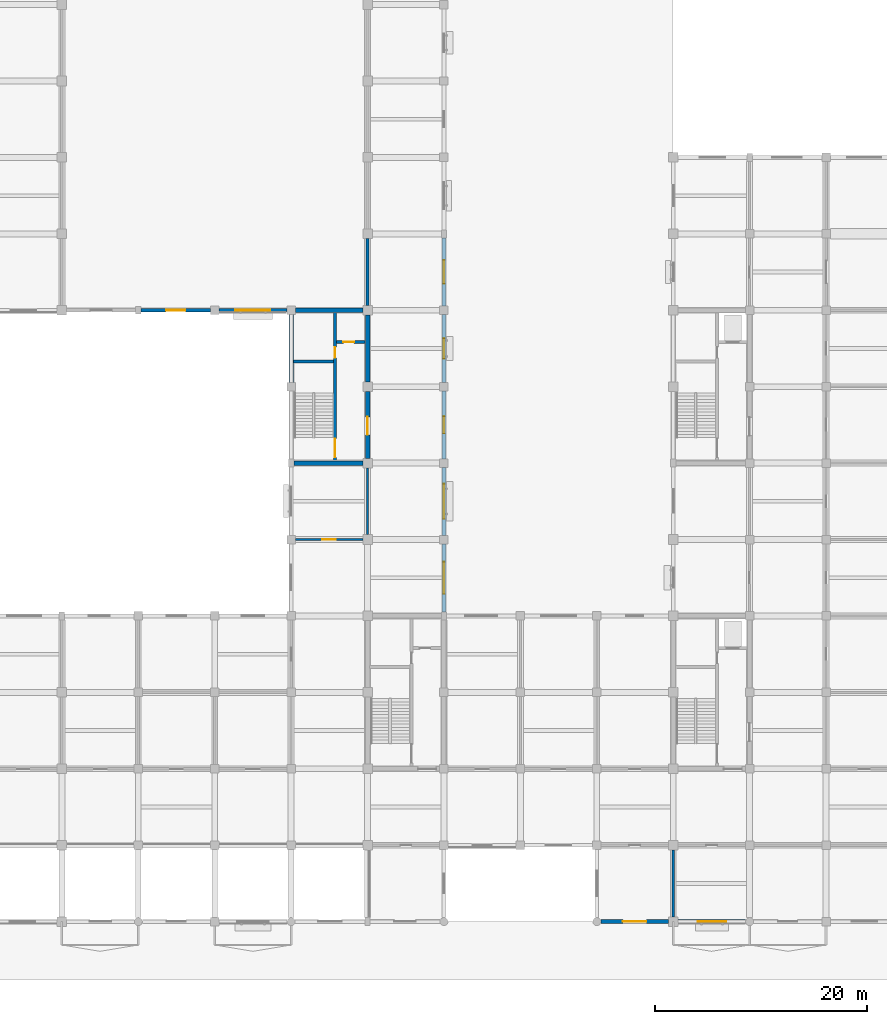
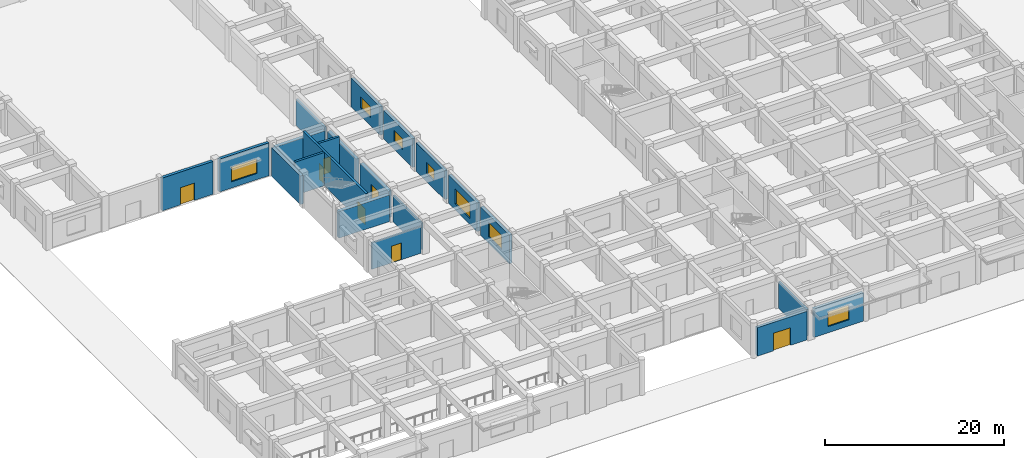
# One storey, part 10 of 37: 21 walls, 7 doors, 7 windows, 14 openings.
"""IFC4 building model written with IfcOpenShell, lengths in metres."""

from ifc_helpers import new_model, si_unit, direction, frame, frame_2d, origin, place, context, subcontext, project, spatial, rectangle, extrude, material, layer, layer_set, type_object, element, fill, save


model = new_model("IFC4")

# Units and contexts
model_context = context("Model", 3, precision=1e-05, world=origin(), true_north=direction((0.0, 1.0)))
body_context = subcontext(model_context, "Body", "Model", "MODEL_VIEW")
ifc_project = project(units=[si_unit("LENGTHUNIT", "METRE"), si_unit("AREAUNIT", "SQUARE_METRE"), si_unit("VOLUMEUNIT", "CUBIC_METRE"), si_unit("PLANEANGLEUNIT", "RADIAN"), si_unit("MASSUNIT", "GRAM", prefix="KILO")], contexts=[model_context])

# Site, building, storey
site_placement = place(None, origin())
site = spatial("IfcSite", under=ifc_project, at=site_placement, CompositionType="ELEMENT")
building_placement = place(site_placement, origin())
building = spatial("IfcBuilding", under=site, at=building_placement, Name="Cendaluz Park School", CompositionType="ELEMENT")
storey_placement = place(building_placement, origin())
storey = spatial("IfcBuildingStorey", under=building, at=storey_placement, Name="L00", CompositionType="ELEMENT", Elevation=0.0)

# Wall, opening, door
ifc_material_1 = material(Name="Gypsum Plasterboard on Cold-Formed Stud", Category="gypsum")
ifc_layer_1 = layer(ifc_material_1, 0.199951171875)
ifc_layer_set_1 = layer_set([ifc_layer_1], Name="Gypsum Plasterboard on Cold-Formed Stud")
wall_type_1 = type_object("IfcWallType", Name="W-AC20", PredefinedType="PARTITIONING", material=ifc_layer_set_1)
wall_1_placement = place(storey_placement, frame((29.199951171875, 36.0, 0.0), z_axis=(0.0, 0.0, 1.0), x_axis=(1.0, 0.0, 0.0)))
wall_1 = element("IfcWall", 1, at=wall_1_placement, inside=storey, type_object=wall_type_1, Name="WL-FA-CJ1", PredefinedType="PARTITIONING", context=body_context, shape_type="SweptSolid", body=[
    extrude(rectangle(XDim=6.35009765625, YDim=0.199951171875, at=frame_2d((3.175048828125, 0.0))), origin(), (0.0, 0.0, 1.0), 3.6201171875),
])
opening_1_placement = place(wall_1_placement, frame((2.534912109375, 0.0, 0.0)))
opening_1 = element("IfcOpeningElement", 2, at=opening_1_placement, cuts=wall_1, Name="Opening DCL-10", PredefinedType="OPENING", context=body_context, shape_type="SweptSolid", body=[
    extrude(rectangle(XDim=1.280029296875, YDim=2.280029296875, at=frame_2d((0.64013671875, 1.14013671875))), frame((0.0, 0.112060546875, 0.0), z_axis=(0.0, -1.0, 0.0), x_axis=(1.0, 0.0, 0.0)), (0.0, 0.0, 1.0), 0.223876953125),
])
ifc_material_2 = material(Name="Solid Core Hardwood", Category="wood")
door_type_1 = type_object("IfcDoorType", Name="DCL-10", OperationType="NOTDEFINED", PredefinedType="DOOR", material=ifc_material_2)
door_1_placement = place(opening_1_placement, origin())
door_1 = element("IfcDoor", 3, at=door_1_placement, inside=storey, type_object=door_type_1, Name="D-L00-092", OperationType="SINGLE_SWING_RIGHT", OverallHeight=2.280029296875, OverallWidth=1.280029296875, PredefinedType="DOOR", context=body_context, shape_type="SweptSolid", body=[
    extrude(rectangle(XDim=1.280029296875, YDim=2.280029296875, at=frame_2d((0.64013671875, 1.14013671875))), frame((0.0, 0.02490234375, 0.0), z_axis=(0.0, -1.0, 0.0), x_axis=(1.0, 0.0, 0.0)), (0.0, 0.0, 1.0), 0.050048828125),
])
fill(opening_1, door_1)

# Walls
wall_2_placement = place(storey_placement, frame((36.0, 36.449951171875, 0.0), z_axis=(0.0, 0.0, 1.0), x_axis=(0.0, 1.0, 0.0)))
element("IfcWall", 4, at=wall_2_placement, inside=storey, type_object=wall_type_1, Name="WL-FA-CJ2", PredefinedType="PARTITIONING", context=body_context, shape_type="SweptSolid", body=[
    extrude(rectangle(XDim=6.300048828125, YDim=0.199951171875, at=frame_2d((3.14990234375, 0.0))), origin(), (0.0, 0.0, 1.0), 3.6201171875),
])
ifc_layer_2 = layer(ifc_material_1, 0.25)
ifc_layer_set_2 = layer_set([ifc_layer_2], Name="Gypsum Plasterboard on Cold-Formed Stud")
wall_type_2 = type_object("IfcWallType", Name="W-CP25", PredefinedType="PARTITIONING", material=ifc_layer_set_2)
for number, where, z_axis, x_axis, name in (
    (5, (36.0, 58.050048828125, 0.0), (0.0, 0.0, 1.0), (0.0, 1.0, 0.0), "WL-FA-BY9"),
    (6, (64.800048828125, 0.449951171875, 0.0), (0.0, 0.0, 1.0), (0.0, 1.0, 0.0), "WL-FA-CD3"),
):
    element("IfcWall", number, at=place(storey_placement, frame(where, z_axis=z_axis, x_axis=x_axis)), inside=storey, type_object=wall_type_2, Name=name, PredefinedType="PARTITIONING", context=body_context, shape_type="SweptSolid", body=[
        extrude(rectangle(XDim=6.300048828125, YDim=0.25, at=frame_2d((3.14990234375, 0.0))), origin(), (0.0, 0.0, 1.0), 3.6201171875),
    ])

# Wall, opening, door
ifc_material_3 = material(Name="Concrete C40/50 precast", Category="concrete")
ifc_layer_3 = layer(ifc_material_3, 0.360107421875)
ifc_layer_set_3 = layer_set([ifc_layer_3], Name="Concrete C40/50 precast")
wall_type_3 = type_object("IfcWallType", Name="W-EX36", PredefinedType="SOLIDWALL", material=ifc_layer_set_3)
wall_3_placement = place(storey_placement, frame((14.64990234375, 57.60009765625, 0.0), z_axis=(0.0, 0.0, 1.0), x_axis=(1.0, 0.0, 0.0)))
wall_3 = element("IfcWall", 7, at=wall_3_placement, inside=storey, type_object=wall_type_3, Name="WL-FA-AC2", PredefinedType="SOLIDWALL", context=body_context, shape_type="SweptSolid", body=[
    extrude(rectangle(XDim=6.550048828125, YDim=0.360107421875, at=frame_2d((3.27490234375, 0.0))), origin(), (0.0, 0.0, 1.0), 4.469970703125),
])
opening_2_placement = place(wall_3_placement, frame((2.375, 0.0, 0.0)))
opening_2 = element("IfcOpeningElement", 8, at=opening_2_placement, cuts=wall_3, Name="Opening DEX-03", PredefinedType="OPENING", context=body_context, shape_type="SweptSolid", body=[
    extrude(rectangle(XDim=1.800048828125, YDim=2.35009765625, at=frame_2d((0.89990234375, 1.175048828125))), frame((0.0, 0.192138671875, 0.0), z_axis=(0.0, -1.0, 0.0), x_axis=(1.0, 0.0, 0.0)), (0.0, 0.0, 1.0), 0.384033203125),
])
ifc_material_4 = material(Name="Architectural Bronze")
door_type_2 = type_object("IfcDoorType", Name="DEX-03", OperationType="DOUBLE_DOOR_SINGLE_SWING", PredefinedType="DOOR", material=ifc_material_4)
door_2_placement = place(opening_2_placement, frame((1.800048828125, 0.0, 0.0), z_axis=(0.0, 0.0, 1.0), x_axis=(-1.0, 0.0, 0.0)))
door_2 = element("IfcDoor", 9, at=door_2_placement, inside=storey, type_object=door_type_2, Name="D-L00-007", OperationType="DOUBLE_DOOR_SINGLE_SWING", OverallHeight=2.35009765625, OverallWidth=1.800048828125, PredefinedType="DOOR", context=body_context, shape_type="SweptSolid", body=[
    extrude(rectangle(XDim=1.800048828125, YDim=2.35009765625, at=frame_2d((0.89990234375, 1.175048828125))), frame((0.0, 0.02490234375, 0.0), z_axis=(0.0, -1.0, 0.0), x_axis=(1.0, 0.0, 0.0)), (0.0, 0.0, 1.0), 0.050048828125),
])
fill(opening_2, door_2)

# Wall, opening, window
wall_4_placement = place(storey_placement, frame((22.0, 57.60009765625, 0.0), z_axis=(0.0, 0.0, 1.0), x_axis=(1.0, 0.0, 0.0)))
wall_4 = element("IfcWall", 10, at=wall_4_placement, inside=storey, type_object=wall_type_3, Name="WL-FA-AC6", PredefinedType="SOLIDWALL", context=body_context, shape_type="SweptSolid", body=[
    extrude(rectangle(XDim=6.39990234375, YDim=0.360107421875, at=frame_2d((3.199951171875, 0.0))), origin(), (0.0, 0.0, 1.0), 4.469970703125),
])
opening_3_placement = place(wall_4_placement, frame((1.550048828125, 0.0, 0.85009765625)))
opening_3 = element("IfcOpeningElement", 11, at=opening_3_placement, cuts=wall_4, Name="Opening WN-15", PredefinedType="OPENING", context=body_context, shape_type="SweptSolid", body=[
    extrude(rectangle(XDim=3.300048828125, YDim=2.0, at=frame_2d((1.64990234375, 1.0))), frame((0.0, 0.192138671875, 0.0), z_axis=(0.0, -1.0, 0.0), x_axis=(1.0, 0.0, 0.0)), (0.0, 0.0, 1.0), 0.384033203125),
])
ifc_material_5 = material(Name="Tempered Low-E Double Glazing", Category="glass")
window_type_1 = type_object("IfcWindowType", Name="WN-15", PartitioningType="SINGLE_PANEL", PredefinedType="WINDOW", material=ifc_material_5)
window_1_placement = place(opening_3_placement, origin())
window_1 = element("IfcWindow", 12, at=window_1_placement, inside=storey, type_object=window_type_1, Name="WN-L00-020", OverallHeight=2.0, OverallWidth=3.300048828125, PartitioningType="SINGLE_PANEL", PredefinedType="WINDOW", context=body_context, shape_type="SweptSolid", body=[
    extrude(rectangle(XDim=3.300048828125, YDim=2.0, at=frame_2d((1.64990234375, 1.0))), frame((0.0, 0.030029296875, 0.0), z_axis=(0.0, -1.0, 0.0), x_axis=(1.0, 0.0, 0.0)), (0.0, 0.0, 1.0), 0.06005859375),
])
fill(opening_3, window_1)

wall_5_placement = place(storey_placement, frame((43.199951171875, 29.175048828125, 0.0), z_axis=(0.0, 0.0, 1.0), x_axis=(0.0, 1.0, 0.0)))
wall_5 = element("IfcWall", 13, at=wall_5_placement, inside=storey, type_object=wall_type_3, Name="WL-FA-AD4", PredefinedType="SOLIDWALL", context=body_context, shape_type="SweptSolid", body=[
    extrude(rectangle(XDim=6.425048828125, YDim=0.360107421875, at=frame_2d((3.21240234375, 0.0))), origin(), (0.0, 0.0, 1.0), 3.889892578125),
])
opening_4_placement = place(wall_5_placement, frame((1.71240234375, 0.0, 0.85009765625)))
opening_4 = element("IfcOpeningElement", 14, at=opening_4_placement, cuts=wall_5, Name="Opening WN-14", PredefinedType="OPENING", context=body_context, shape_type="SweptSolid", body=[
    extrude(rectangle(XDim=3.0, YDim=2.0, at=frame_2d((1.5, 1.0))), frame((0.0, 0.192138671875, 0.0), z_axis=(0.0, -1.0, 0.0), x_axis=(1.0, 0.0, 0.0)), (0.0, 0.0, 1.0), 0.384033203125),
])
window_type_2 = type_object("IfcWindowType", Name="WN-14", PartitioningType="SINGLE_PANEL", PredefinedType="WINDOW", material=ifc_material_5)
window_2_placement = place(opening_4_placement, origin())
window_2 = element("IfcWindow", 15, at=window_2_placement, inside=storey, type_object=window_type_2, Name="WN-L00-025", OverallHeight=2.0, OverallWidth=3.0, PartitioningType="SINGLE_PANEL", PredefinedType="WINDOW", context=body_context, shape_type="SweptSolid", body=[
    extrude(rectangle(XDim=3.0, YDim=2.0, at=frame_2d((1.5, 1.0))), frame((0.0, 0.030029296875, 0.0), z_axis=(0.0, -1.0, 0.0), x_axis=(1.0, 0.0, 0.0)), (0.0, 0.0, 1.0), 0.06005859375),
])
fill(opening_4, window_2)

wall_6_placement = place(storey_placement, frame((43.199951171875, 36.39990234375, 0.0), z_axis=(0.0, 0.0, 1.0), x_axis=(0.0, 1.0, 0.0)))
wall_6 = element("IfcWall", 16, at=wall_6_placement, inside=storey, type_object=wall_type_3, Name="WL-FA-AD5", PredefinedType="SOLIDWALL", context=body_context, shape_type="SweptSolid", body=[
    extrude(rectangle(XDim=6.400146484375, YDim=0.360107421875, at=frame_2d((3.2001953125, 0.0))), origin(), (0.0, 0.0, 1.0), 3.889892578125),
])
opening_5_placement = place(wall_6_placement, frame((1.550048828125, 0.0, 0.85009765625)))
opening_5 = element("IfcOpeningElement", 17, at=opening_5_placement, cuts=wall_6, Name="Opening WN-15", PredefinedType="OPENING", context=body_context, shape_type="SweptSolid", body=[
    extrude(rectangle(XDim=3.300048828125, YDim=2.0, at=frame_2d((1.64990234375, 1.0))), frame((0.0, 0.192138671875, 0.0), z_axis=(0.0, -1.0, 0.0), x_axis=(1.0, 0.0, 0.0)), (0.0, 0.0, 1.0), 0.384033203125),
])
window_3_placement = place(opening_5_placement, origin())
window_3 = element("IfcWindow", 18, at=window_3_placement, inside=storey, type_object=window_type_1, Name="WN-L00-026", OverallHeight=2.0, OverallWidth=3.300048828125, PartitioningType="SINGLE_PANEL", PredefinedType="WINDOW", context=body_context, shape_type="SweptSolid", body=[
    extrude(rectangle(XDim=3.300048828125, YDim=2.0, at=frame_2d((1.64990234375, 1.0))), frame((0.0, 0.030029296875, 0.0), z_axis=(0.0, -1.0, 0.0), x_axis=(1.0, 0.0, 0.0)), (0.0, 0.0, 1.0), 0.06005859375),
])
fill(opening_5, window_3)

wall_7_placement = place(storey_placement, frame((43.199951171875, 43.60009765625, 0.0), z_axis=(0.0, 0.0, 1.0), x_axis=(0.0, 1.0, 0.0)))
wall_7 = element("IfcWall", 19, at=wall_7_placement, inside=storey, type_object=wall_type_3, Name="WL-FA-AD6", PredefinedType="SOLIDWALL", context=body_context, shape_type="SweptSolid", body=[
    extrude(rectangle(XDim=6.39990234375, YDim=0.360107421875, at=frame_2d((3.199951171875, 0.0))), origin(), (0.0, 0.0, 1.0), 3.889892578125),
])
opening_6_placement = place(wall_7_placement, frame((2.39990234375, 0.0, 1.10009765625)))
opening_6 = element("IfcOpeningElement", 20, at=opening_6_placement, cuts=wall_7, Name="Opening WN-16", PredefinedType="OPENING", context=body_context, shape_type="SweptSolid", body=[
    extrude(rectangle(XDim=1.60009765625, YDim=1.5, at=frame_2d((0.800048828125, 0.75))), frame((0.0, 0.192138671875, 0.0), z_axis=(0.0, -1.0, 0.0), x_axis=(1.0, 0.0, 0.0)), (0.0, 0.0, 1.0), 0.384033203125),
])
window_type_3 = type_object("IfcWindowType", Name="WN-16", PartitioningType="SINGLE_PANEL", PredefinedType="WINDOW", material=ifc_material_5)
window_4_placement = place(opening_6_placement, origin())
window_4 = element("IfcWindow", 21, at=window_4_placement, inside=storey, type_object=window_type_3, Name="WN-L00-027", OverallHeight=1.5, OverallWidth=1.60009765625, PartitioningType="SINGLE_PANEL", PredefinedType="WINDOW", context=body_context, shape_type="SweptSolid", body=[
    extrude(rectangle(XDim=1.60009765625, YDim=1.5, at=frame_2d((0.800048828125, 0.75))), frame((0.0, 0.030029296875, 0.0), z_axis=(0.0, -1.0, 0.0), x_axis=(1.0, 0.0, 0.0)), (0.0, 0.0, 1.0), 0.06005859375),
])
fill(opening_6, window_4)

wall_8_placement = place(storey_placement, frame((43.199951171875, 50.800048828125, 0.0), z_axis=(0.0, 0.0, 1.0), x_axis=(0.0, 1.0, 0.0)))
wall_8 = element("IfcWall", 22, at=wall_8_placement, inside=storey, type_object=wall_type_3, Name="WL-FA-AD7", PredefinedType="SOLIDWALL", context=body_context, shape_type="SweptSolid", body=[
    extrude(rectangle(XDim=6.39990234375, YDim=0.360107421875, at=frame_2d((3.199951171875, 0.0))), origin(), (0.0, 0.0, 1.0), 3.889892578125),
])
opening_7_placement = place(wall_8_placement, frame((2.25, 0.0, 1.10009765625)))
opening_7 = element("IfcOpeningElement", 23, at=opening_7_placement, cuts=wall_8, Name="Opening WN-17", PredefinedType="OPENING", context=body_context, shape_type="SweptSolid", body=[
    extrude(rectangle(XDim=1.89990234375, YDim=1.5, at=frame_2d((0.949951171875, 0.75))), frame((0.0, 0.192138671875, 0.0), z_axis=(0.0, -1.0, 0.0), x_axis=(1.0, 0.0, 0.0)), (0.0, 0.0, 1.0), 0.384033203125),
])
window_type_4 = type_object("IfcWindowType", Name="WN-17", PartitioningType="SINGLE_PANEL", PredefinedType="WINDOW", material=ifc_material_5)
window_5_placement = place(opening_7_placement, origin())
window_5 = element("IfcWindow", 24, at=window_5_placement, inside=storey, type_object=window_type_4, Name="WN-L00-028", OverallHeight=1.5, OverallWidth=1.89990234375, PartitioningType="SINGLE_PANEL", PredefinedType="WINDOW", context=body_context, shape_type="SweptSolid", body=[
    extrude(rectangle(XDim=1.89990234375, YDim=1.5, at=frame_2d((0.949951171875, 0.75))), frame((0.0, 0.030029296875, 0.0), z_axis=(0.0, -1.0, 0.0), x_axis=(1.0, 0.0, 0.0)), (0.0, 0.0, 1.0), 0.06005859375),
])
fill(opening_7, window_5)

wall_9_placement = place(storey_placement, frame((43.199951171875, 58.0, 0.0), z_axis=(0.0, 0.0, 1.0), x_axis=(0.0, 1.0, 0.0)))
wall_9 = element("IfcWall", 25, at=wall_9_placement, inside=storey, type_object=wall_type_3, Name="WL-FA-AD8", PredefinedType="SOLIDWALL", context=body_context, shape_type="SweptSolid", body=[
    extrude(rectangle(XDim=6.425048828125, YDim=0.360107421875, at=frame_2d((3.21240234375, 0.0))), origin(), (0.0, 0.0, 1.0), 3.889892578125),
])
opening_8_placement = place(wall_9_placement, frame((2.112548828125, 0.0, 1.10009765625)))
opening_8 = element("IfcOpeningElement", 26, at=opening_8_placement, cuts=wall_9, Name="Opening WN-18", PredefinedType="OPENING", context=body_context, shape_type="SweptSolid", body=[
    extrude(rectangle(XDim=2.199951171875, YDim=1.5, at=frame_2d((1.10009765625, 0.75))), frame((0.0, 0.192138671875, 0.0), z_axis=(0.0, -1.0, 0.0), x_axis=(1.0, 0.0, 0.0)), (0.0, 0.0, 1.0), 0.384033203125),
])
window_type_5 = type_object("IfcWindowType", Name="WN-18", PartitioningType="SINGLE_PANEL", PredefinedType="WINDOW", material=ifc_material_5)
window_6_placement = place(opening_8_placement, origin())
window_6 = element("IfcWindow", 27, at=window_6_placement, inside=storey, type_object=window_type_5, Name="WN-L00-029", OverallHeight=1.5, OverallWidth=2.199951171875, PartitioningType="SINGLE_PANEL", PredefinedType="WINDOW", context=body_context, shape_type="SweptSolid", body=[
    extrude(rectangle(XDim=2.199951171875, YDim=1.5, at=frame_2d((1.10009765625, 0.75))), frame((0.0, 0.030029296875, 0.0), z_axis=(0.0, -1.0, 0.0), x_axis=(1.0, 0.0, 0.0)), (0.0, 0.0, 1.0), 0.06005859375),
])
fill(opening_8, window_6)

# Wall, opening, door
wall_10_placement = place(storey_placement, frame((57.97509765625, 0.0, 0.0), z_axis=(0.0, 0.0, 1.0), x_axis=(1.0, 0.0, 0.0)))
wall_10 = element("IfcWall", 28, at=wall_10_placement, inside=storey, type_object=wall_type_3, Name="WL-FA-AF1", PredefinedType="SOLIDWALL", context=body_context, shape_type="SweptSolid", body=[
    extrude(rectangle(XDim=6.375, YDim=0.360107421875, at=frame_2d((3.1875, 0.0))), origin(), (0.0, 0.0, 1.0), 3.889892578125),
])
opening_9_placement = place(wall_10_placement, frame((2.08740234375, 0.0, 0.0)))
opening_9 = element("IfcOpeningElement", 29, at=opening_9_placement, cuts=wall_10, Name="Opening DEX-01", PredefinedType="OPENING", context=body_context, shape_type="SweptSolid", body=[
    extrude(rectangle(XDim=2.199951171875, YDim=2.39990234375, at=frame_2d((1.10009765625, 1.199951171875))), frame((0.0, 0.192138671875, 0.0), z_axis=(0.0, -1.0, 0.0), x_axis=(1.0, 0.0, 0.0)), (0.0, 0.0, 1.0), 0.384033203125),
])
door_type_3 = type_object("IfcDoorType", Name="DEX-01", OperationType="DOUBLE_DOOR_SINGLE_SWING", PredefinedType="DOOR", material=ifc_material_4)
door_3_placement = place(opening_9_placement, frame((2.199951171875, 0.0, 0.0), z_axis=(0.0, 0.0, 1.0), x_axis=(-1.0, 0.0, 0.0)))
door_3 = element("IfcDoor", 30, at=door_3_placement, inside=storey, type_object=door_type_3, Name="D-L00-013", OperationType="DOUBLE_DOOR_SINGLE_SWING", OverallHeight=2.39990234375, OverallWidth=2.199951171875, PredefinedType="DOOR", context=body_context, shape_type="SweptSolid", body=[
    extrude(rectangle(XDim=2.199951171875, YDim=2.39990234375, at=frame_2d((1.10009765625, 1.199951171875))), frame((0.0, 0.02490234375, 0.0), z_axis=(0.0, -1.0, 0.0), x_axis=(1.0, 0.0, 0.0)), (0.0, 0.0, 1.0), 0.050048828125),
])
fill(opening_9, door_3)

# Wall, opening, window
wall_11_placement = place(storey_placement, frame((65.25, 0.0, 0.0), z_axis=(0.0, 0.0, 1.0), x_axis=(1.0, 0.0, 0.0)))
wall_11 = element("IfcWall", 31, at=wall_11_placement, inside=storey, type_object=wall_type_3, Name="WL-FA-AF4", PredefinedType="SOLIDWALL", context=body_context, shape_type="SweptSolid", body=[
    extrude(rectangle(XDim=6.375, YDim=0.360107421875, at=frame_2d((3.1875, 0.0))), origin(), (0.0, 0.0, 1.0), 3.889892578125),
])
opening_10_placement = place(wall_11_placement, frame((1.83740234375, 0.0, 0.85009765625)))
opening_10 = element("IfcOpeningElement", 32, at=opening_10_placement, cuts=wall_11, Name="Opening WN-13", PredefinedType="OPENING", context=body_context, shape_type="SweptSolid", body=[
    extrude(rectangle(XDim=2.699951171875, YDim=2.0, at=frame_2d((1.35009765625, 1.0))), frame((0.0, 0.192138671875, 0.0), z_axis=(0.0, -1.0, 0.0), x_axis=(1.0, 0.0, 0.0)), (0.0, 0.0, 1.0), 0.384033203125),
])
window_type_6 = type_object("IfcWindowType", Name="WN-13", PartitioningType="SINGLE_PANEL", PredefinedType="WINDOW", material=ifc_material_5)
window_7_placement = place(opening_10_placement, origin())
window_7 = element("IfcWindow", 33, at=window_7_placement, inside=storey, type_object=window_type_6, Name="WN-L00-042", OverallHeight=2.0, OverallWidth=2.699951171875, PartitioningType="SINGLE_PANEL", PredefinedType="WINDOW", context=body_context, shape_type="SweptSolid", body=[
    extrude(rectangle(XDim=2.699951171875, YDim=2.0, at=frame_2d((1.35009765625, 1.0))), frame((0.0, 0.030029296875, 0.0), z_axis=(0.0, -1.0, 0.0), x_axis=(1.0, 0.0, 0.0)), (0.0, 0.0, 1.0), 0.06005859375),
])
fill(opening_10, window_7)

# Wall, openings, doors
ifc_material_6 = material(Name="Concrete C40/50", Category="concrete")
ifc_layer_4 = layer(ifc_material_6, 0.280029296875)
ifc_layer_set_4 = layer_set([ifc_layer_4], Name="Concrete C40/50")
wall_type_4 = type_object("IfcWallType", Name="W-FW28", PredefinedType="SHEAR", material=ifc_layer_set_4)
wall_12_placement = place(storey_placement, frame((32.919921875, 43.39990234375, 0.0), z_axis=(0.0, 0.0, 1.0), x_axis=(0.0, 1.0, 0.0)))
wall_12 = element("IfcWall", 34, at=wall_12_placement, inside=storey, type_object=wall_type_4, Name="WL-FA-BW8", PredefinedType="SHEAR", context=body_context, shape_type="SweptSolid", body=[
    extrude(rectangle(XDim=14.0, YDim=0.280029296875, at=frame_2d((7.0, 0.0))), origin(), (0.0, 0.0, 1.0), 4.52001953125),
])
opening_11_placement = place(wall_12_placement, frame((0.35009765625, 0.0, 0.0)))
opening_11 = element("IfcOpeningElement", 35, at=opening_11_placement, cuts=wall_12, Name="Opening DST-03", PredefinedType="OPENING", context=body_context, shape_type="SweptSolid", body=[
    extrude(rectangle(XDim=1.75, YDim=2.14990234375, at=frame_2d((0.875, 1.074951171875))), frame((0.0, 0.152099609375, 0.0), z_axis=(0.0, -1.0, 0.0), x_axis=(1.0, 0.0, 0.0)), (0.0, 0.0, 1.0), 0.303955078125),
])
opening_12_placement = place(wall_12_placement, frame((9.719970703125, 0.0, 0.0)))
opening_12 = element("IfcOpeningElement", 36, at=opening_12_placement, cuts=wall_12, Name="Opening DFC-01", PredefinedType="OPENING", context=body_context, shape_type="SweptSolid", body=[
    extrude(rectangle(XDim=1.0, YDim=2.14990234375, at=frame_2d((0.5, 1.074951171875))), frame((0.0, 0.152099609375, 0.0), z_axis=(0.0, -1.0, 0.0), x_axis=(1.0, 0.0, 0.0)), (0.0, 0.0, 1.0), 0.303955078125),
])
door_type_4 = type_object("IfcDoorType", Name="DFC-01", OperationType="NOTDEFINED", PredefinedType="DOOR", material=ifc_material_2)
door_4_placement = place(opening_12_placement, origin())
door_4 = element("IfcDoor", 37, at=door_4_placement, inside=storey, type_object=door_type_4, Name="D-L00-058", OperationType="SINGLE_SWING_LEFT", OverallHeight=2.14990234375, OverallWidth=1.0, PredefinedType="DOOR", context=body_context, shape_type="SweptSolid", body=[
    extrude(rectangle(XDim=1.0, YDim=2.14990234375, at=frame_2d((0.5, 1.074951171875))), frame((0.0, 0.02490234375, 0.0), z_axis=(0.0, -1.0, 0.0), x_axis=(1.0, 0.0, 0.0)), (0.0, 0.0, 1.0), 0.050048828125),
])
fill(opening_12, door_4)
door_type_5 = type_object("IfcDoorType", Name="DST-03", OperationType="DOUBLE_DOOR_SINGLE_SWING", PredefinedType="DOOR", material=ifc_material_2)
door_5_placement = place(opening_11_placement, frame((1.75, 0.0, 0.0), z_axis=(0.0, 0.0, 1.0), x_axis=(-1.0, 0.0, 0.0)))
door_5 = element("IfcDoor", 38, at=door_5_placement, inside=storey, type_object=door_type_5, Name="D-L00-057", OperationType="DOUBLE_DOOR_SINGLE_SWING", OverallHeight=2.14990234375, OverallWidth=1.75, PredefinedType="DOOR", context=body_context, shape_type="SweptSolid", body=[
    extrude(rectangle(XDim=1.75, YDim=2.14990234375, at=frame_2d((0.875, 1.074951171875))), frame((0.0, 0.02490234375, 0.0), z_axis=(0.0, -1.0, 0.0), x_axis=(1.0, 0.0, 0.0)), (0.0, 0.0, 1.0), 0.050048828125),
])
fill(opening_11, door_5)

# Wall
wall_13_placement = place(storey_placement, frame((29.0, 52.780029296875, 0.0), z_axis=(0.0, 0.0, 1.0), x_axis=(1.0, 0.0, 0.0)))
element("IfcWall", 39, at=wall_13_placement, inside=storey, type_object=wall_type_4, Name="WL-FA-BW9", PredefinedType="SHEAR", context=body_context, shape_type="SweptSolid", body=[
    extrude(rectangle(XDim=3.780029296875, YDim=0.280029296875, at=frame_2d((1.89013671875, 0.0))), origin(), (0.0, 0.0, 1.0), 4.52001953125),
])

# Wall, opening, door
wall_14_placement = place(storey_placement, frame((33.080078125, 54.60009765625, 0.0), z_axis=(0.0, 0.0, 1.0), x_axis=(1.0, 0.0, 0.0)))
wall_14 = element("IfcWall", 40, at=wall_14_placement, inside=storey, type_object=wall_type_4, Name="WL-FA-BX0", PredefinedType="SHEAR", context=body_context, shape_type="SweptSolid", body=[
    extrude(rectangle(XDim=2.679931640625, YDim=0.280029296875, at=frame_2d((1.33984375, 0.0))), origin(), (0.0, 0.0, 1.0), 4.52001953125),
])
opening_13_placement = place(wall_14_placement, frame((0.64990234375, 0.0, 0.0)))
opening_13 = element("IfcOpeningElement", 41, at=opening_13_placement, cuts=wall_14, Name="Opening DFC-01", PredefinedType="OPENING", context=body_context, shape_type="SweptSolid", body=[
    extrude(rectangle(XDim=1.0, YDim=2.14990234375, at=frame_2d((0.5, 1.074951171875))), frame((0.0, 0.152099609375, 0.0), z_axis=(0.0, -1.0, 0.0), x_axis=(1.0, 0.0, 0.0)), (0.0, 0.0, 1.0), 0.303955078125),
])
door_6_placement = place(opening_13_placement, frame((1.0, 0.0, 0.0), z_axis=(0.0, 0.0, 1.0), x_axis=(-1.0, 0.0, 0.0)))
door_6 = element("IfcDoor", 42, at=door_6_placement, inside=storey, type_object=door_type_4, Name="D-L00-059", OperationType="SINGLE_SWING_RIGHT", OverallHeight=2.14990234375, OverallWidth=1.0, PredefinedType="DOOR", context=body_context, shape_type="SweptSolid", body=[
    extrude(rectangle(XDim=1.0, YDim=2.14990234375, at=frame_2d((0.5, 1.074951171875))), frame((0.0, 0.02490234375, 0.0), z_axis=(0.0, -1.0, 0.0), x_axis=(1.0, 0.0, 0.0)), (0.0, 0.0, 1.0), 0.050048828125),
])
fill(opening_13, door_6)

# Wall
ifc_layer_5 = layer(ifc_material_6, 0.419921875)
ifc_layer_set_5 = layer_set([ifc_layer_5], Name="Concrete C40/50")
wall_type_5 = type_object("IfcWallType", Name="W-SH42", PredefinedType="SHEAR", material=ifc_layer_set_5)
wall_15_placement = place(storey_placement, frame((28.800048828125, 50.800048828125, 0.0), z_axis=(0.0, 0.0, 1.0), x_axis=(0.0, 1.0, 0.0)))
element("IfcWall", 43, at=wall_15_placement, inside=storey, type_object=wall_type_5, Name="WL-FA-BW3", PredefinedType="SHEAR", context=body_context, shape_type="SweptSolid", body=[
    extrude(rectangle(XDim=6.39990234375, YDim=0.419921875, at=frame_2d((3.199951171875, 0.0))), origin(), (0.0, 0.0, 1.0), 3.889892578125),
])

# Wall, opening, door
wall_16_placement = place(storey_placement, frame((36.0, 43.64990234375, 0.0), z_axis=(0.0, 0.0, 1.0), x_axis=(0.0, 1.0, 0.0)))
wall_16 = element("IfcWall", 44, at=wall_16_placement, inside=storey, type_object=wall_type_5, Name="WL-FA-BW4", PredefinedType="SHEAR", context=body_context, shape_type="SweptSolid", body=[
    extrude(rectangle(XDim=6.300048828125, YDim=0.419921875, at=frame_2d((3.14990234375, 0.0))), origin(), (0.0, 0.0, 1.0), 3.6201171875),
])
opening_14_placement = place(wall_16_placement, frame((2.199951171875, 0.0, 0.0)))
opening_14 = element("IfcOpeningElement", 45, at=opening_14_placement, cuts=wall_16, Name="Opening DLB-02", PredefinedType="OPENING", context=body_context, shape_type="SweptSolid", body=[
    extrude(rectangle(XDim=1.699951171875, YDim=2.25, at=frame_2d((0.85009765625, 1.125))), frame((0.0, 0.221923828125, 0.0), z_axis=(0.0, -1.0, 0.0), x_axis=(1.0, 0.0, 0.0)), (0.0, 0.0, 1.0), 0.44384765625),
])
door_type_6 = type_object("IfcDoorType", Name="DLB-02", OperationType="DOUBLE_DOOR_SINGLE_SWING", PredefinedType="DOOR", material=ifc_material_2)
door_7_placement = place(opening_14_placement, frame((1.699951171875, 0.0, 0.0), z_axis=(0.0, 0.0, 1.0), x_axis=(-1.0, 0.0, 0.0)))
door_7 = element("IfcDoor", 46, at=door_7_placement, inside=storey, type_object=door_type_6, Name="D-L00-056", OperationType="DOUBLE_DOOR_SINGLE_SWING", OverallHeight=2.25, OverallWidth=1.699951171875, PredefinedType="DOOR", context=body_context, shape_type="SweptSolid", body=[
    extrude(rectangle(XDim=1.699951171875, YDim=2.25, at=frame_2d((0.85009765625, 1.125))), frame((0.0, 0.02490234375, 0.0), z_axis=(0.0, -1.0, 0.0), x_axis=(1.0, 0.0, 0.0)), (0.0, 0.0, 1.0), 0.050048828125),
])
fill(opening_14, door_7)

# Walls
wall_17_placement = place(storey_placement, frame((36.0, 50.85009765625, 0.0), z_axis=(0.0, 0.0, 1.0), x_axis=(0.0, 1.0, 0.0)))
element("IfcWall", 47, at=wall_17_placement, inside=storey, type_object=wall_type_5, Name="WL-FA-BW5", PredefinedType="SHEAR", context=body_context, shape_type="SweptSolid", body=[
    extrude(rectangle(XDim=6.2998046875, YDim=0.419921875, at=frame_2d((3.14990234375, 0.0))), origin(), (0.0, 0.0, 1.0), 3.6201171875),
])
wall_18_placement = place(storey_placement, frame((29.050048828125, 43.199951171875, 0.0), z_axis=(0.0, 0.0, 1.0), x_axis=(1.0, 0.0, 0.0)))
element("IfcWall", 48, at=wall_18_placement, inside=storey, type_object=wall_type_5, Name="WL-FA-BW6", PredefinedType="SHEAR", context=body_context, shape_type="SweptSolid", body=[
    extrude(rectangle(XDim=6.5, YDim=0.419921875, at=frame_2d((3.25, 0.0))), origin(), (0.0, 0.0, 1.0), 3.6201171875),
])
wall_19_placement = place(storey_placement, frame((29.199951171875, 57.60009765625, 0.0), z_axis=(0.0, 0.0, 1.0), x_axis=(1.0, 0.0, 0.0)))
element("IfcWall", 49, at=wall_19_placement, inside=storey, type_object=wall_type_5, Name="WL-FA-BW7", PredefinedType="SHEAR", context=body_context, shape_type="SweptSolid", body=[
    extrude(rectangle(XDim=6.35009765625, YDim=0.419921875, at=frame_2d((3.175048828125, 0.0))), origin(), (0.0, 0.0, 1.0), 3.6201171875),
])

save(model, "model.ifc")
